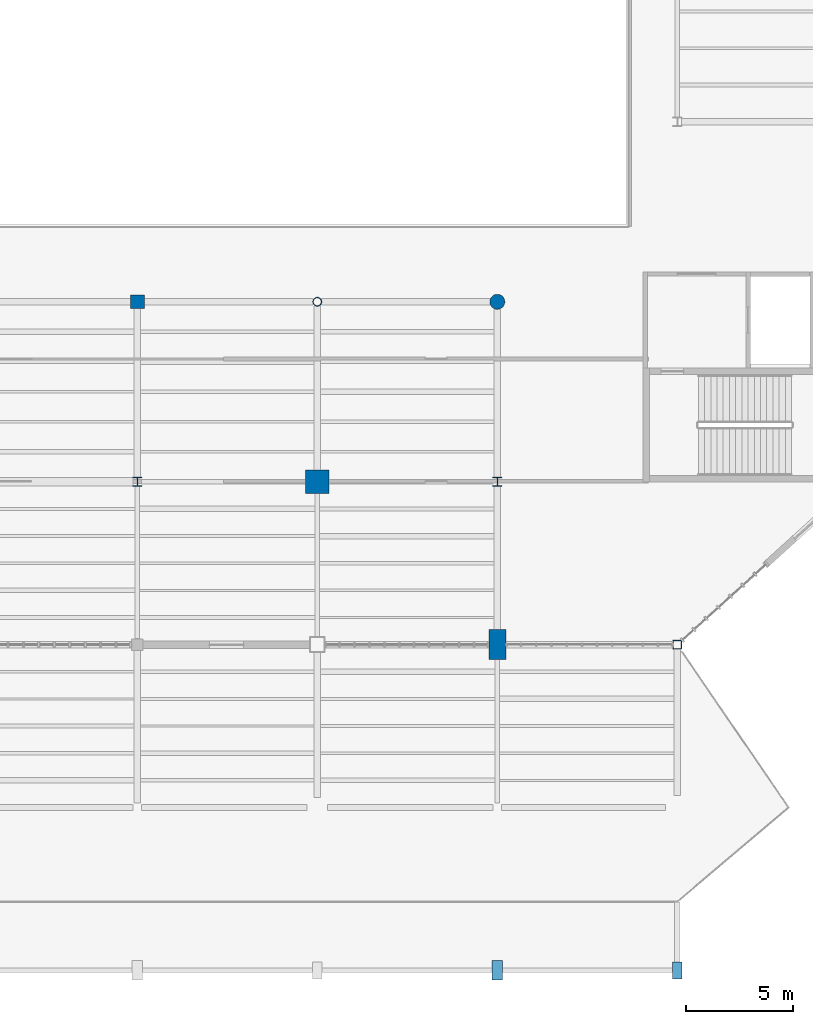
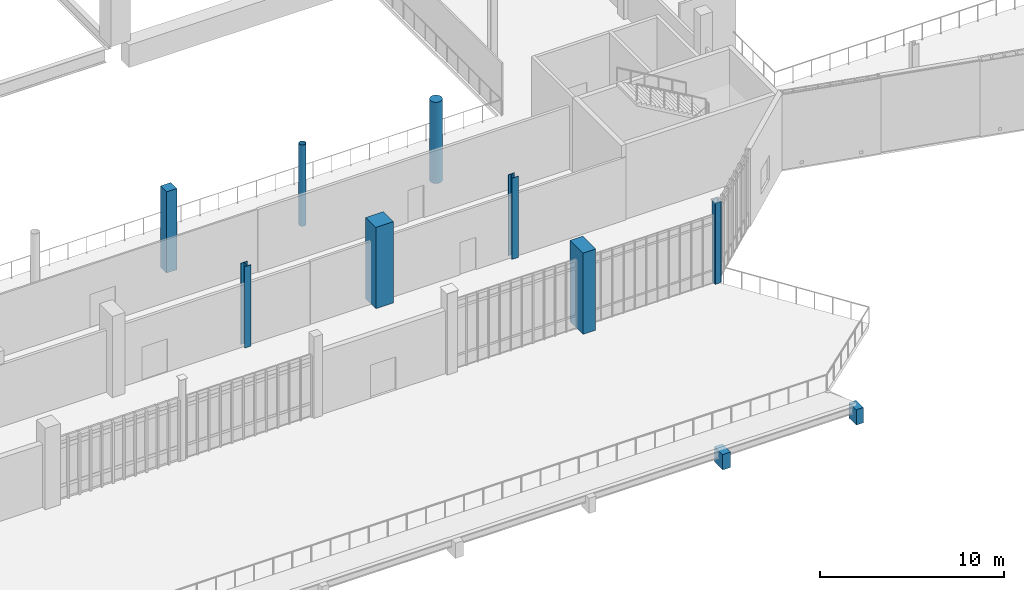
# One storey, part 2 of 127: 10 columns.
"""IFC4 building model written with IfcOpenShell, lengths in metres."""

import ifcopenshell
import ifcopenshell.guid

model = None  # the IFC model being written
_history = None  # IfcOwnerHistory: only IFC2X3 demands one
_inside = {}  # id of a spatial element -> (the spatial element, [elements in it])
_under = {}  # id of a project, library or spatial element -> (it, [spatial elements below it])
_declared = {}  # id of a project -> (the project, [libraries it declares])
_typed = {}  # id of a type object -> (the type object, [elements of that type])
_made_of = {}  # id of a material, layer set ... -> (it, [elements and type objects made of it])


def new_model(schema):
    """Start an empty IFC model of exactly this schema.

    Asked for "IFC4X3", IfcOpenShell would pick the latest addendum, in which some entities
    have other attributes; the version numbers below select the first issue.
    IFC2X3 requires an IfcOwnerHistory on every rooted entity: one is made here for all.
    """
    global model, _history
    if schema == "IFC4X3":
        model = ifcopenshell.file(schema_version=(4, 3, 0, 0))
    else:
        model = ifcopenshell.file(schema=schema)
    _inside.clear()
    _under.clear()
    _declared.clear()
    _typed.clear()
    _made_of.clear()
    _history = None
    if model.schema == "IFC2X3":
        org = make("IfcOrganization", Name="unknown")
        user = make(
            "IfcPersonAndOrganization",
            ThePerson=make("IfcPerson", FamilyName="unknown"),
            TheOrganization=org,
        )
        app = make(
            "IfcApplication",
            ApplicationDeveloper=org,
            Version="unknown",
            ApplicationFullName="unknown",
            ApplicationIdentifier="unknown",
        )
        _history = make(
            "IfcOwnerHistory",
            OwningUser=user,
            OwningApplication=app,
            ChangeAction="ADDED",
            CreationDate=0,
        )
    return model


def make(cls, **values):
    """One entity of the class cls with the attributes given. An attribute that is None is left unset."""
    return model.create_entity(
        cls, **{name: value for name, value in values.items() if value is not None}
    )


def rooted(cls, **values):
    """An entity with a GlobalId (a new one), such as an element, a storey or a relation."""
    return make(cls, GlobalId=ifcopenshell.guid.new(), OwnerHistory=_history, **values)


def si_unit(unit_type, name, prefix=None):
    """IfcSIUnit, for example si_unit("LENGTHUNIT", "METRE", prefix="MILLI")."""
    return make("IfcSIUnit", UnitType=unit_type, Prefix=prefix, Name=name)


def assignment(units):
    """IfcUnitAssignment: the units of a project."""
    return None if units is None else make("IfcUnitAssignment", Units=units)


def point(xyz):
    """IfcCartesianPoint."""
    return None if xyz is None else make("IfcCartesianPoint", Coordinates=xyz)


def direction(xyz):
    """IfcDirection."""
    return None if xyz is None else make("IfcDirection", DirectionRatios=xyz)


def frame(location, z_axis=None, x_axis=None):
    """IfcAxis2Placement3D, a coordinate frame: its origin and axes. An axis left out is left unset."""
    return make(
        "IfcAxis2Placement3D",
        Location=point(location),
        Axis=direction(z_axis),
        RefDirection=direction(x_axis),
    )


def frame_2d(location, x_axis=None):
    """IfcAxis2Placement2D, a coordinate frame in the plane: its origin and x axis."""
    return make(
        "IfcAxis2Placement2D", Location=point(location), RefDirection=direction(x_axis)
    )


def origin():
    """The frame at (0, 0, 0) with its axes left unset."""
    return frame((0.0, 0.0, 0.0))


def origin_2d():
    """The frame at (0, 0) in the plane with its x axis left unset."""
    return frame_2d((0.0, 0.0))


def place(relative_to, where):
    """IfcLocalPlacement: puts the frame where relative to a parent placement (None: the world)."""
    return make(
        "IfcLocalPlacement", PlacementRelTo=relative_to, RelativePlacement=where
    )


def context(
    kind, dimensions, precision=None, world=None, true_north=None, identifier=None
):
    """IfcGeometricRepresentationContext, for example the 3D "Model" context."""
    return make(
        "IfcGeometricRepresentationContext",
        ContextIdentifier=identifier,
        ContextType=kind,
        CoordinateSpaceDimension=dimensions,
        Precision=precision,
        WorldCoordinateSystem=world,
        TrueNorth=true_north,
    )


def subcontext(parent, identifier, kind, view, scale=None):
    """IfcGeometricRepresentationSubContext, for example "Body" below "Model"."""
    return make(
        "IfcGeometricRepresentationSubContext",
        ContextIdentifier=identifier,
        ContextType=kind,
        ParentContext=parent,
        TargetScale=scale,
        TargetView=view,
    )


def project(units=None, contexts=None):
    """IfcProject with its units and contexts."""
    return rooted(
        "IfcProject",
        Name="project",
        RepresentationContexts=contexts,
        UnitsInContext=assignment(units),
    )


def spatial(cls, under=None, at=None, **own):
    """A site, building, storey or space (cls), placed at a placement, below another one or the project."""
    s = rooted(cls, ObjectPlacement=at, **own)
    if under is not None:
        _under.setdefault(under.id(), (under, []))[1].append(s)
    return s


def profile(cls, at=None, kind="AREA", **sizes):
    """A parametric profile (cls). Its sizes go by their IFC names, for example OverallWidth=200.0."""
    return make(cls, ProfileType=kind, Position=at, **sizes)


def rectangle(**sizes):
    """IfcRectangleProfileDef."""
    return profile("IfcRectangleProfileDef", **sizes)


def hollow_rectangle(**sizes):
    """IfcRectangleHollowProfileDef."""
    return profile("IfcRectangleHollowProfileDef", **sizes)


def circle(**sizes):
    """IfcCircleProfileDef."""
    return profile("IfcCircleProfileDef", **sizes)


def hollow_circle(**sizes):
    """IfcCircleHollowProfileDef."""
    return profile("IfcCircleHollowProfileDef", **sizes)


def i_section(**sizes):
    """IfcIShapeProfileDef."""
    return profile("IfcIShapeProfileDef", **sizes)


def extrude(swept, where, along, depth):
    """IfcExtrudedAreaSolid: the profile swept, set in the frame where, extruded along a direction by depth."""
    return make(
        "IfcExtrudedAreaSolid",
        SweptArea=swept,
        Position=where,
        ExtrudedDirection=direction(along),
        Depth=depth,
    )


def shape(context_of_items, identifier, shape_type, items):
    """IfcShapeRepresentation: the items that make up one representation, for example the "Body"."""
    return make(
        "IfcShapeRepresentation",
        ContextOfItems=context_of_items,
        RepresentationIdentifier=identifier,
        RepresentationType=shape_type,
        Items=items,
    )


def material(Name=None, Category=None):
    """IfcMaterial."""
    return make("IfcMaterial", Name=Name, Category=Category)


def material_profile(
    of_material, cross_section, Name=None, Category=None, Priority=None
):
    """IfcMaterialProfile: a cross section and its material."""
    return make(
        "IfcMaterialProfile",
        Name=Name,
        Material=of_material,
        Profile=cross_section,
        Priority=Priority,
        Category=Category,
    )


def profile_set(profiles, Name=None, composite=None):
    """IfcMaterialProfileSet."""
    return make(
        "IfcMaterialProfileSet",
        Name=Name,
        MaterialProfiles=profiles,
        CompositeProfile=composite,
    )


def made_of(thing, what):
    """Note that an element or type object is made of a material, layer set ...; save() writes the relation."""
    if what is not None:
        _made_of.setdefault(what.id(), (what, []))[1].append(thing)
    return thing


def type_object(cls, material=None, **own):
    """A type object (cls), such as IfcWallType, which elements share."""
    return made_of(rooted(cls, **own), material)


def element(
    cls,
    number,
    at=None,
    inside=None,
    cuts=None,
    type_object=None,
    material=None,
    context=None,
    identifier="Body",
    shape_type=None,
    held_by="IfcProductDefinitionShape",
    body=None,
    shapes=None,
    **own,
):
    """One element of the class cls, such as IfcWall. Its Tag is "e" and its number.

    at: its placement. inside: the storey or other place that contains it. cuts: it is an
    opening in that element (IfcRelVoidsElement). A single representation is given by context,
    identifier, shape_type and body (its items); several are given by shapes. held_by: the class
    of the entity that holds the representations. save() writes the other relations.
    """
    e = rooted(cls, Tag="e%d" % number, ObjectPlacement=at, **own)
    if body is not None:
        shapes = [shape(context, identifier, shape_type, body)]
    if shapes is not None:
        e.Representation = make(held_by, Representations=shapes)
    if inside is not None:
        _inside.setdefault(inside.id(), (inside, []))[1].append(e)
    if cuts is not None:
        rooted(
            "IfcRelVoidsElement", RelatingBuildingElement=cuts, RelatedOpeningElement=e
        )
    if type_object is not None:
        _typed.setdefault(type_object.id(), (type_object, []))[1].append(e)
    return made_of(e, material)


def aggregate(whole, parts):
    """IfcRelAggregates: a whole, such as a stair, and the parts it consists of."""
    return rooted("IfcRelAggregates", RelatingObject=whole, RelatedObjects=parts)


def save(model, path):
    """Write the relations noted so far, then the file.

    IfcRelAggregates (storeys below a building ...), IfcRelContainedInSpatialStructure (elements
    in a storey), IfcRelDefinesByType, IfcRelAssociatesMaterial and IfcRelDeclares: one each for
    every whole, place, type object, material and project.
    """
    for whole, parts in _under.values():
        aggregate(whole, parts)
    for where, things in _inside.values():
        rooted(
            "IfcRelContainedInSpatialStructure",
            RelatedElements=things,
            RelatingStructure=where,
        )
    for kind, things in _typed.values():
        rooted("IfcRelDefinesByType", RelatedObjects=things, RelatingType=kind)
    for what, things in _made_of.values():
        rooted("IfcRelAssociatesMaterial", RelatedObjects=things, RelatingMaterial=what)
    for by, libraries in _declared.values():
        rooted("IfcRelDeclares", RelatingContext=by, RelatedDefinitions=libraries)
    model.write(path)


model = new_model("IFC4")

# Units and contexts
model_context = context("Model", 3, precision=1e-05, world=origin(), true_north=direction((0.0, 1.0)))
body_context = subcontext(model_context, "Body", "Model", "MODEL_VIEW")
ifc_project = project(units=[si_unit("LENGTHUNIT", "METRE"), si_unit("AREAUNIT", "SQUARE_METRE"), si_unit("VOLUMEUNIT", "CUBIC_METRE"), si_unit("PLANEANGLEUNIT", "RADIAN"), si_unit("MASSUNIT", "GRAM", prefix="KILO")], contexts=[model_context])

# Site, building, storey
site_placement = place(None, origin())
site = spatial("IfcSite", under=ifc_project, at=site_placement, CompositionType="ELEMENT")
building_placement = place(site_placement, origin())
building = spatial("IfcBuilding", under=site, at=building_placement, Name="Larkvane Passage Sports Hall", CompositionType="ELEMENT")
storey_placement = place(building_placement, frame((0.0, 0.0, 5.39990234375)))
storey = spatial("IfcBuildingStorey", under=building, at=storey_placement, Name="L01", CompositionType="ELEMENT", Elevation=5.39990234375)

# Columns
ifc_material_1 = material(Name="Concrete C40/50", Category="concrete")
ifc_material_profile_1 = material_profile(ifc_material_1, circle(Radius=0.35009765625, at=origin_2d()), Name="RC-CIR-700")
ifc_profile_set_1 = profile_set([ifc_material_profile_1], Name="Concrete C40/50")
column_type_1 = type_object("IfcColumnType", Name="COL-CIR-700", PredefinedType="COLUMN", material=ifc_profile_set_1)
column_1_placement = place(storey_placement, frame((76.800048828125, 31.199951171875, 0.0), z_axis=(0.0, 0.0, 1.0), x_axis=(1.0, 0.0, 0.0)))
element("IfcColumn", 1, at=column_1_placement, inside=storey, type_object=column_type_1, Name="Column 11/E L01", PredefinedType="COLUMN", context=body_context, shape_type="SweptSolid", body=[
    extrude(circle(Radius=0.35009765625, at=origin_2d()), origin(), (0.0, 0.0, 1.0), 5.400146484375),
])
ifc_material_2 = material(Name="Concrete C50/60", Category="concrete")
ifc_material_profile_2 = material_profile(ifc_material_2, rectangle(XDim=1.10009765625, YDim=1.10009765625, at=origin_2d()), Name="RC-COL-1100x1100")
ifc_profile_set_2 = profile_set([ifc_material_profile_2], Name="Concrete C50/60")
column_type_2 = type_object("IfcColumnType", Name="COL-RC-1100", PredefinedType="COLUMN", material=ifc_profile_set_2)
column_2_placement = place(storey_placement, frame((68.39990234375, 22.800048828125, 0.0), z_axis=(0.0, 0.0, 1.0), x_axis=(1.0, 0.0, 0.0)))
element("IfcColumn", 2, at=column_2_placement, inside=storey, type_object=column_type_2, Name="Column 10/D L01", PredefinedType="COLUMN", context=body_context, shape_type="SweptSolid", body=[
    extrude(rectangle(XDim=1.10009765625, YDim=1.10009765625, at=origin_2d()), origin(), (0.0, 0.0, 1.0), 5.400146484375),
])
ifc_material_profile_3 = material_profile(ifc_material_1, rectangle(XDim=0.64990234375, YDim=0.64990234375, at=origin_2d()), Name="RC-COL-650x650")
ifc_profile_set_3 = profile_set([ifc_material_profile_3], Name="Concrete C40/50")
column_type_3 = type_object("IfcColumnType", Name="COL-RC-650", PredefinedType="COLUMN", material=ifc_profile_set_3)
column_3_placement = place(storey_placement, frame((60.0, 31.199951171875, 0.0), z_axis=(0.0, 0.0, 1.0), x_axis=(1.0, 0.0, 0.0)))
element("IfcColumn", 3, at=column_3_placement, inside=storey, type_object=column_type_3, Name="Column 9/E L01", PredefinedType="COLUMN", context=body_context, shape_type="SweptSolid", body=[
    extrude(rectangle(XDim=0.64990234375, YDim=0.64990234375, at=origin_2d()), origin(), (0.0, 0.0, 1.0), 5.400146484375),
])
ifc_material_profile_4 = material_profile(ifc_material_2, rectangle(XDim=0.800048828125, YDim=1.39990234375, at=origin_2d()), Name="RC-COL-800x1400")
ifc_profile_set_4 = profile_set([ifc_material_profile_4], Name="Concrete C50/60")
column_type_4 = type_object("IfcColumnType", Name="COL-RC-800x1400", PredefinedType="COLUMN", material=ifc_profile_set_4)
column_4_placement = place(storey_placement, frame((76.800048828125, 15.199951171875, 0.0), z_axis=(0.0, 0.0, 1.0), x_axis=(1.0, 0.0, 0.0)))
element("IfcColumn", 4, at=column_4_placement, inside=storey, type_object=column_type_4, Name="Column 11/C L01", PredefinedType="COLUMN", context=body_context, shape_type="SweptSolid", body=[
    extrude(rectangle(XDim=0.800048828125, YDim=1.39990234375, at=origin_2d()), origin(), (0.0, 0.0, 1.0), 5.400146484375),
])
ifc_material_3 = material(Name="Steel S355JR", Category="steel")
ifc_material_profile_5 = material_profile(ifc_material_3, hollow_circle(Radius=0.203125, WallThickness=0.01611328125, at=origin_2d()), Name="CHS-406.4x16.0")
ifc_profile_set_5 = profile_set([ifc_material_profile_5], Name="Steel S355JR")
column_type_5 = type_object("IfcColumnType", Name="COL-STL-CHS406", PredefinedType="COLUMN", material=ifc_profile_set_5)
column_5_placement = place(storey_placement, frame((68.39990234375, 31.199951171875, 0.0), z_axis=(0.0, 0.0, 1.0), x_axis=(1.0, 0.0, 0.0)))
element("IfcColumn", 5, at=column_5_placement, inside=storey, type_object=column_type_5, Name="Column 10/E L01", PredefinedType="COLUMN", context=body_context, shape_type="SweptSolid", body=[
    extrude(hollow_circle(Radius=0.203125, WallThickness=0.01611328125, at=origin_2d()), origin(), (0.0, 0.0, 1.0), 5.400146484375),
])
ifc_material_4 = material(Name="Steel S460N", Category="steel")
ifc_material_profile_6 = material_profile(ifc_material_4, i_section(OverallWidth=0.405029296875, OverallDepth=0.4140625, WebThickness=0.01806640625, FlangeThickness=0.028076171875, FilletRadius=0.02197265625, at=origin_2d()), Name="H-414x405x18x28")
ifc_profile_set_6 = profile_set([ifc_material_profile_6], Name="Steel S460N")
column_type_6 = type_object("IfcColumnType", Name="COL-STL-H414", PredefinedType="COLUMN", material=ifc_profile_set_6)
column_6_placement = place(storey_placement, frame((76.800048828125, 22.800048828125, 0.0), z_axis=(0.0, 0.0, 1.0), x_axis=(1.0, 0.0, 0.0)))
element("IfcColumn", 6, at=column_6_placement, inside=storey, type_object=column_type_6, Name="Column 11/D L01", PredefinedType="COLUMN", context=body_context, shape_type="SweptSolid", body=[
    extrude(i_section(OverallWidth=0.405029296875, OverallDepth=0.4140625, WebThickness=0.01806640625, FlangeThickness=0.028076171875, FilletRadius=0.02197265625, at=origin_2d()), origin(), (0.0, 0.0, 1.0), 5.400146484375),
])
ifc_material_profile_7 = material_profile(ifc_material_4, i_section(OverallWidth=0.406982421875, OverallDepth=0.427978515625, WebThickness=0.02001953125, FlangeThickness=0.034912109375, FilletRadius=0.02197265625, at=origin_2d()), Name="H-428x407x20x35")
ifc_profile_set_7 = profile_set([ifc_material_profile_7], Name="Steel S460N")
column_type_7 = type_object("IfcColumnType", Name="COL-STL-H428", PredefinedType="COLUMN", material=ifc_profile_set_7)
column_7_placement = place(storey_placement, frame((60.0, 22.800048828125, 0.0), z_axis=(0.0, 0.0, 1.0), x_axis=(1.0, 0.0, 0.0)))
element("IfcColumn", 7, at=column_7_placement, inside=storey, type_object=column_type_7, Name="Column 9/D L01", PredefinedType="COLUMN", context=body_context, shape_type="SweptSolid", body=[
    extrude(i_section(OverallWidth=0.406982421875, OverallDepth=0.427978515625, WebThickness=0.02001953125, FlangeThickness=0.034912109375, FilletRadius=0.02197265625, at=origin_2d()), origin(), (0.0, 0.0, 1.0), 5.400146484375),
])
ifc_material_profile_8 = material_profile(ifc_material_4, hollow_rectangle(XDim=0.39990234375, YDim=0.39990234375, WallThickness=0.01904296875, InnerFilletRadius=0.01904296875, OuterFilletRadius=0.0380859375, at=origin_2d()), Name="SHS-400x400x19")
ifc_profile_set_8 = profile_set([ifc_material_profile_8], Name="Steel S460N")
column_type_8 = type_object("IfcColumnType", Name="COL-STL-SHS400", PredefinedType="COLUMN", material=ifc_profile_set_8)
column_8_placement = place(storey_placement, frame((85.199951171875, 15.199951171875, 0.0), z_axis=(0.0, 0.0, 1.0), x_axis=(1.0, 0.0, 0.0)))
element("IfcColumn", 8, at=column_8_placement, inside=storey, type_object=column_type_8, Name="Column 12/C L01", PredefinedType="COLUMN", context=body_context, shape_type="SweptSolid", body=[
    extrude(hollow_rectangle(XDim=0.39990234375, YDim=0.39990234375, WallThickness=0.01904296875, InnerFilletRadius=0.01904296875, OuterFilletRadius=0.0380859375, at=origin_2d()), origin(), (0.0, 0.0, 1.0), 5.400146484375),
])
ifc_material_profile_9 = material_profile(ifc_material_1, rectangle(XDim=0.449951171875, YDim=0.800048828125, at=origin_2d()), Name="RC-PIL-450x800")
ifc_profile_set_9 = profile_set([ifc_material_profile_9], Name="Concrete C40/50")
column_type_9 = type_object("IfcColumnType", Name="PIL-RC-450x800", PredefinedType="PILASTER", material=ifc_profile_set_9)
column_9_placement = place(storey_placement, frame((85.199951171875, 0.0, 0.0), z_axis=(0.0, 0.0, 1.0), x_axis=(1.0, 0.0, 0.0)))
element("IfcColumn", 9, at=column_9_placement, inside=storey, type_object=column_type_9, Name="Arcade pilaster 12/A L01", PredefinedType="PILASTER", context=body_context, shape_type="SweptSolid", body=[
    extrude(rectangle(XDim=0.449951171875, YDim=0.800048828125, at=origin_2d()), origin(), (0.0, 0.0, 1.0), 1.02001953125),
])
ifc_material_profile_10 = material_profile(ifc_material_1, rectangle(XDim=0.5, YDim=0.89990234375, at=origin_2d()), Name="RC-PIL-500x900")
ifc_profile_set_10 = profile_set([ifc_material_profile_10], Name="Concrete C40/50")
column_type_10 = type_object("IfcColumnType", Name="PIL-RC-500x900", PredefinedType="PILASTER", material=ifc_profile_set_10)
column_10_placement = place(storey_placement, frame((76.800048828125, 0.0, 0.0), z_axis=(0.0, 0.0, 1.0), x_axis=(1.0, 0.0, 0.0)))
element("IfcColumn", 10, at=column_10_placement, inside=storey, type_object=column_type_10, Name="Arcade pilaster 11/A L01", PredefinedType="PILASTER", context=body_context, shape_type="SweptSolid", body=[
    extrude(rectangle(XDim=0.5, YDim=0.89990234375, at=origin_2d()), origin(), (0.0, 0.0, 1.0), 1.02001953125),
])

save(model, "model.ifc")
